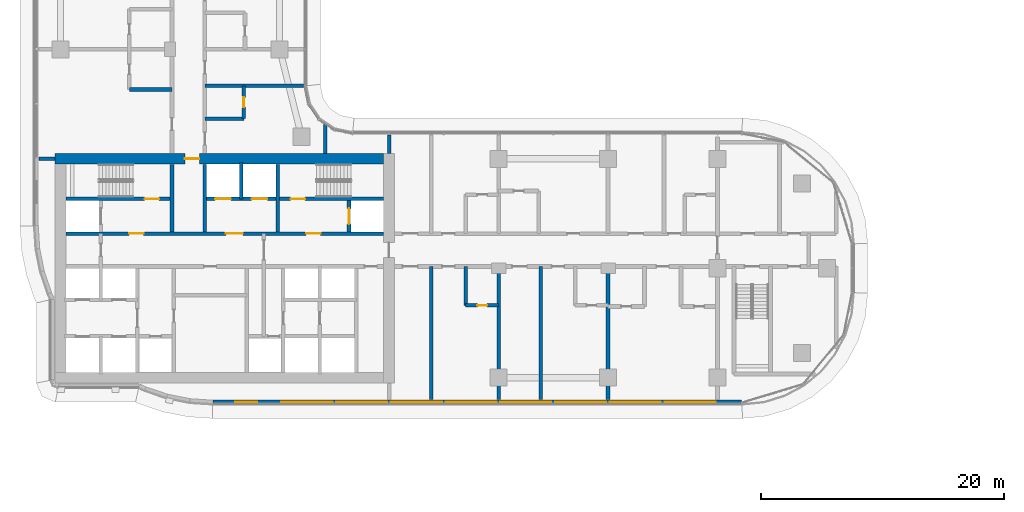
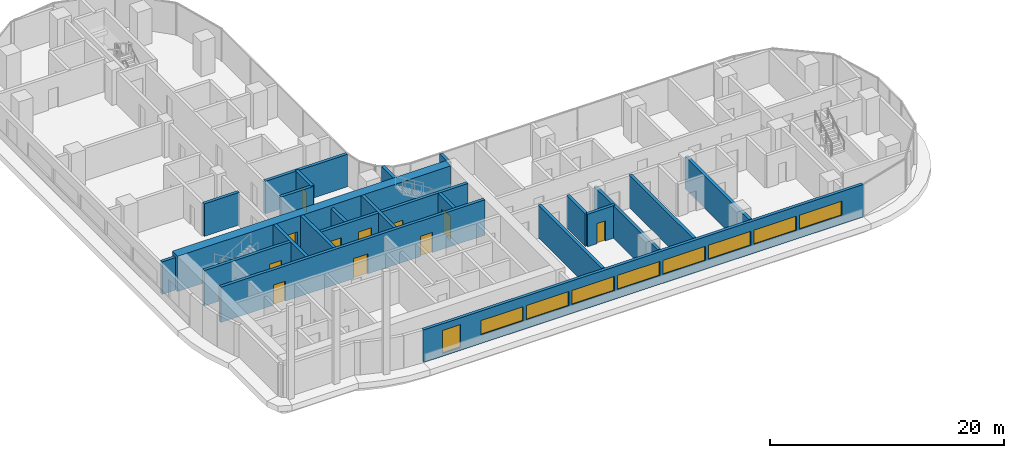
# One storey, part 18 of 36: 23 walls, 11 doors, 9 windows, 20 openings.
"""IFC4 building model written with IfcOpenShell, lengths in metres."""

from ifc_helpers import new_model, si_unit, direction, frame, frame_2d, origin, place, context, subcontext, project, spatial, rectangle, extrude, material, layer, layer_set, type_object, element, fill, save


model = new_model("IFC4")

# Units and contexts
model_context = context("Model", 3, precision=1e-05, world=origin(), true_north=direction((0.0, 1.0)))
body_context = subcontext(model_context, "Body", "Model", "MODEL_VIEW")
ifc_project = project(units=[si_unit("LENGTHUNIT", "METRE"), si_unit("AREAUNIT", "SQUARE_METRE"), si_unit("VOLUMEUNIT", "CUBIC_METRE"), si_unit("PLANEANGLEUNIT", "RADIAN"), si_unit("MASSUNIT", "GRAM", prefix="KILO")], contexts=[model_context])

# Site, building, storey
site_placement = place(None, origin())
site = spatial("IfcSite", under=ifc_project, at=site_placement, CompositionType="ELEMENT")
building_placement = place(site_placement, origin())
building = spatial("IfcBuilding", under=site, at=building_placement, Name="Ogive Portal Towers", CompositionType="ELEMENT")
storey_placement = place(building_placement, frame((0.0, 0.0, 52.0)))
storey = spatial("IfcBuildingStorey", under=building, at=storey_placement, Name="L11", CompositionType="ELEMENT", Elevation=52.0)

# Wall, openings, doors
ifc_material_1 = material(Name="Concrete C60/75", Category="concrete")
ifc_layer_1 = layer(ifc_material_1, 0.300048828125)
ifc_layer_set_1 = layer_set([ifc_layer_1], Name="CORE WALL 300 C60")
wall_type_1 = type_object("IfcWallType", Name="CORE WALL 300 C60", PredefinedType="SHEAR", material=ifc_layer_set_1)
wall_1_placement = place(storey_placement, frame((31.949951171875, 33.35009765625, 0.0), z_axis=(0.0, 0.0, 1.0), x_axis=(1.0, 0.0, 0.0)))
wall_1 = element("IfcWall", 1, at=wall_1_placement, inside=storey, type_object=wall_type_1, Name="Core wall Y2 L11", PredefinedType="SHEAR", context=body_context, shape_type="SweptSolid", body=[
    extrude(rectangle(XDim=26.10009765625, YDim=0.300048828125, at=frame_2d((13.050048828125, 0.0))), origin(), (0.0, 0.0, 1.0), 3.699951171875),
])
opening_1_placement = place(wall_1_placement, frame((13.125, 0.0, 0.0)))
opening_1 = element("IfcOpeningElement", 2, at=opening_1_placement, cuts=wall_1, Name="Opening D03-003", PredefinedType="OPENING", context=body_context, shape_type="SweptSolid", body=[
    extrude(rectangle(XDim=1.39990234375, YDim=2.10009765625, at=frame_2d((0.699951171875, 1.050048828125))), frame((0.0, 0.16015625, 0.0), z_axis=(0.0, -1.0, 0.0), x_axis=(1.0, 0.0, 0.0)), (0.0, 0.0, 1.0), 0.320068359375),
])
opening_2_placement = place(wall_1_placement, frame((5.175048828125, 0.0, 0.0)))
opening_2 = element("IfcOpeningElement", 3, at=opening_2_placement, cuts=wall_1, Name="Opening D03-004", PredefinedType="OPENING", context=body_context, shape_type="SweptSolid", body=[
    extrude(rectangle(XDim=1.199951171875, YDim=2.10009765625, at=frame_2d((0.60009765625, 1.050048828125))), frame((0.0, 0.16015625, 0.0), z_axis=(0.0, -1.0, 0.0), x_axis=(1.0, 0.0, 0.0)), (0.0, 0.0, 1.0), 0.320068359375),
])
opening_3_placement = place(wall_1_placement, frame((19.72509765625, 0.0, 0.0)))
opening_3 = element("IfcOpeningElement", 4, at=opening_3_placement, cuts=wall_1, Name="Opening D03-005", PredefinedType="OPENING", context=body_context, shape_type="SweptSolid", body=[
    extrude(rectangle(XDim=1.199951171875, YDim=2.10009765625, at=frame_2d((0.60009765625, 1.050048828125))), frame((0.0, 0.16015625, 0.0), z_axis=(0.0, -1.0, 0.0), x_axis=(1.0, 0.0, 0.0)), (0.0, 0.0, 1.0), 0.320068359375),
])
ifc_material_2 = material(Name="Steel fire door", Category="steel")
door_type_1 = type_object("IfcDoorType", Name="DT-SWING-1200x2100-FD90S", OperationType="SINGLE_SWING_LEFT", PredefinedType="DOOR", material=ifc_material_2)
door_1_placement = place(opening_2_placement, origin())
door_1 = element("IfcDoor", 5, at=door_1_placement, inside=storey, type_object=door_type_1, Name="Door D03-004", OperationType="SINGLE_SWING_LEFT", OverallHeight=2.10009765625, OverallWidth=1.199951171875, PredefinedType="DOOR", context=body_context, shape_type="SweptSolid", body=[
    extrude(rectangle(XDim=1.199951171875, YDim=2.10009765625, at=frame_2d((0.60009765625, 1.050048828125))), frame((0.0, 0.02490234375, 0.0), z_axis=(0.0, -1.0, 0.0), x_axis=(1.0, 0.0, 0.0)), (0.0, 0.0, 1.0), 0.050048828125),
])
fill(opening_2, door_1)
door_2_placement = place(opening_3_placement, origin())
door_2 = element("IfcDoor", 6, at=door_2_placement, inside=storey, type_object=door_type_1, Name="Door D03-005", OperationType="SINGLE_SWING_RIGHT", OverallHeight=2.10009765625, OverallWidth=1.199951171875, PredefinedType="DOOR", context=body_context, shape_type="SweptSolid", body=[
    extrude(rectangle(XDim=1.199951171875, YDim=2.10009765625, at=frame_2d((0.60009765625, 1.050048828125))), frame((0.0, 0.02490234375, 0.0), z_axis=(0.0, -1.0, 0.0), x_axis=(1.0, 0.0, 0.0)), (0.0, 0.0, 1.0), 0.050048828125),
])
fill(opening_3, door_2)
door_type_2 = type_object("IfcDoorType", Name="DT-SWING-1400x2100-FD90S", OperationType="SINGLE_SWING_LEFT", PredefinedType="DOOR", material=ifc_material_2)
door_3_placement = place(opening_1_placement, origin())
door_3 = element("IfcDoor", 7, at=door_3_placement, inside=storey, type_object=door_type_2, Name="Door D03-003", OperationType="SINGLE_SWING_RIGHT", OverallHeight=2.10009765625, OverallWidth=1.39990234375, PredefinedType="DOOR", context=body_context, shape_type="SweptSolid", body=[
    extrude(rectangle(XDim=1.39990234375, YDim=2.10009765625, at=frame_2d((0.699951171875, 1.050048828125))), frame((0.0, 0.02490234375, 0.0), z_axis=(0.0, -1.0, 0.0), x_axis=(1.0, 0.0, 0.0)), (0.0, 0.0, 1.0), 0.050048828125),
])
fill(opening_1, door_3)

# Wall, opening, door
wall_2_placement = place(storey_placement, frame((31.949951171875, 36.199951171875, 0.0), z_axis=(0.0, 0.0, 1.0), x_axis=(1.0, 0.0, 0.0)))
wall_2 = element("IfcWall", 8, at=wall_2_placement, inside=storey, type_object=wall_type_1, Name="Core wall Y3a L11", PredefinedType="SHEAR", context=body_context, shape_type="SweptSolid", body=[
    extrude(rectangle(XDim=8.550048828125, YDim=0.300048828125, at=frame_2d((4.27490234375, 0.0))), origin(), (0.0, 0.0, 1.0), 3.699951171875),
])
opening_4_placement = place(wall_2_placement, frame((6.449951171875, 0.0, 0.0)))
opening_4 = element("IfcOpeningElement", 9, at=opening_4_placement, cuts=wall_2, Name="Opening D03-006", PredefinedType="OPENING", context=body_context, shape_type="SweptSolid", body=[
    extrude(rectangle(XDim=1.199951171875, YDim=2.10009765625, at=frame_2d((0.60009765625, 1.050048828125))), frame((0.0, 0.16015625, 0.0), z_axis=(0.0, -1.0, 0.0), x_axis=(1.0, 0.0, 0.0)), (0.0, 0.0, 1.0), 0.320068359375),
])
door_4_placement = place(opening_4_placement, origin())
door_4 = element("IfcDoor", 10, at=door_4_placement, inside=storey, type_object=door_type_1, Name="Door D03-006", OperationType="SINGLE_SWING_RIGHT", OverallHeight=2.10009765625, OverallWidth=1.199951171875, PredefinedType="DOOR", context=body_context, shape_type="SweptSolid", body=[
    extrude(rectangle(XDim=1.199951171875, YDim=2.10009765625, at=frame_2d((0.60009765625, 1.050048828125))), frame((0.0, 0.02490234375, 0.0), z_axis=(0.0, -1.0, 0.0), x_axis=(1.0, 0.0, 0.0)), (0.0, 0.0, 1.0), 0.050048828125),
])
fill(opening_4, door_4)

# Wall, openings, doors
wall_3_placement = place(storey_placement, frame((43.5, 36.199951171875, 0.0), z_axis=(0.0, 0.0, 1.0), x_axis=(1.0, 0.0, 0.0)))
wall_3 = element("IfcWall", 11, at=wall_3_placement, inside=storey, type_object=wall_type_1, Name="Core wall Y3b L11", PredefinedType="SHEAR", context=body_context, shape_type="SweptSolid", body=[
    extrude(rectangle(XDim=14.550048828125, YDim=0.300048828125, at=frame_2d((7.27490234375, 0.0))), origin(), (0.0, 0.0, 1.0), 3.699951171875),
])
opening_5_placement = place(wall_3_placement, frame((6.89990234375, 0.0, 0.0)))
opening_5 = element("IfcOpeningElement", 12, at=opening_5_placement, cuts=wall_3, Name="Opening D03-007", PredefinedType="OPENING", context=body_context, shape_type="SweptSolid", body=[
    extrude(rectangle(XDim=1.199951171875, YDim=2.10009765625, at=frame_2d((0.60009765625, 1.050048828125))), frame((0.0, 0.16015625, 0.0), z_axis=(0.0, -1.0, 0.0), x_axis=(1.0, 0.0, 0.0)), (0.0, 0.0, 1.0), 0.320068359375),
])
opening_6_placement = place(wall_3_placement, frame((0.699951171875, 0.0, 0.0)))
opening_6 = element("IfcOpeningElement", 13, at=opening_6_placement, cuts=wall_3, Name="Opening D03-017", PredefinedType="OPENING", context=body_context, shape_type="SweptSolid", body=[
    extrude(rectangle(XDim=1.300048828125, YDim=2.39990234375, at=frame_2d((0.64990234375, 1.199951171875))), frame((0.0, 0.16015625, 0.0), z_axis=(0.0, -1.0, 0.0), x_axis=(1.0, 0.0, 0.0)), (0.0, 0.0, 1.0), 0.320068359375),
])
opening_7_placement = place(wall_3_placement, frame((3.699951171875, 0.0, 0.0)))
opening_7 = element("IfcOpeningElement", 14, at=opening_7_placement, cuts=wall_3, Name="Opening D03-018", PredefinedType="OPENING", context=body_context, shape_type="SweptSolid", body=[
    extrude(rectangle(XDim=1.300048828125, YDim=2.39990234375, at=frame_2d((0.64990234375, 1.199951171875))), frame((0.0, 0.16015625, 0.0), z_axis=(0.0, -1.0, 0.0), x_axis=(1.0, 0.0, 0.0)), (0.0, 0.0, 1.0), 0.320068359375),
])
ifc_material_3 = material(Name="Stainless steel", Category="steel")
door_type_3 = type_object("IfcDoorType", Name="DT-LD-1300x2400", OperationType="SLIDING_TO_LEFT", PredefinedType="DOOR", material=ifc_material_3)
door_5_placement = place(opening_6_placement, origin())
door_5 = element("IfcDoor", 15, at=door_5_placement, inside=storey, type_object=door_type_3, Name="Door D03-017", OperationType="SLIDING_TO_LEFT", OverallHeight=2.39990234375, OverallWidth=1.300048828125, PredefinedType="DOOR", context=body_context, shape_type="SweptSolid", body=[
    extrude(rectangle(XDim=1.300048828125, YDim=2.39990234375, at=frame_2d((0.64990234375, 1.199951171875))), frame((0.0, 0.02490234375, 0.0), z_axis=(0.0, -1.0, 0.0), x_axis=(1.0, 0.0, 0.0)), (0.0, 0.0, 1.0), 0.050048828125),
])
fill(opening_6, door_5)
door_6_placement = place(opening_7_placement, origin())
door_6 = element("IfcDoor", 16, at=door_6_placement, inside=storey, type_object=door_type_3, Name="Door D03-018", OperationType="SLIDING_TO_LEFT", OverallHeight=2.39990234375, OverallWidth=1.300048828125, PredefinedType="DOOR", context=body_context, shape_type="SweptSolid", body=[
    extrude(rectangle(XDim=1.300048828125, YDim=2.39990234375, at=frame_2d((0.64990234375, 1.199951171875))), frame((0.0, 0.02490234375, 0.0), z_axis=(0.0, -1.0, 0.0), x_axis=(1.0, 0.0, 0.0)), (0.0, 0.0, 1.0), 0.050048828125),
])
fill(opening_7, door_6)
door_7_placement = place(opening_5_placement, origin())
door_7 = element("IfcDoor", 17, at=door_7_placement, inside=storey, type_object=door_type_1, Name="Door D03-007", OperationType="SINGLE_SWING_LEFT", OverallHeight=2.10009765625, OverallWidth=1.199951171875, PredefinedType="DOOR", context=body_context, shape_type="SweptSolid", body=[
    extrude(rectangle(XDim=1.199951171875, YDim=2.10009765625, at=frame_2d((0.60009765625, 1.050048828125))), frame((0.0, 0.02490234375, 0.0), z_axis=(0.0, -1.0, 0.0), x_axis=(1.0, 0.0, 0.0)), (0.0, 0.0, 1.0), 0.050048828125),
])
fill(opening_5, door_7)

# Walls
for number, where, z_axis, x_axis, name in (
    (18, (40.64990234375, 33.5, 0.0), (0.0, 0.0, 1.0), (0.0, 1.0, 0.0), "Core wall X6 L11"),
    (19, (43.35009765625, 33.5, 0.0), (0.0, 0.0, 1.0), (0.0, 1.0, 0.0), "Core wall X7 L11"),
    (20, (49.35009765625, 33.5, 0.0), (0.0, 0.0, 1.0), (0.0, 1.0, 0.0), "Core wall X9 L11"),
):
    element("IfcWall", number, at=place(storey_placement, frame(where, z_axis=z_axis, x_axis=x_axis)), inside=storey, type_object=wall_type_1, Name=name, PredefinedType="SHEAR", context=body_context, shape_type="SweptSolid", body=[
        extrude(rectangle(XDim=5.550048828125, YDim=0.300048828125, at=frame_2d((2.77490234375, 0.0))), origin(), (0.0, 0.0, 1.0), 3.699951171875),
    ])

# Wall, opening, door
wall_4_placement = place(storey_placement, frame((55.199951171875, 33.5, 0.0), z_axis=(0.0, 0.0, 1.0), x_axis=(0.0, 1.0, 0.0)))
wall_4 = element("IfcWall", 21, at=wall_4_placement, inside=storey, type_object=wall_type_1, Name="Core wall X10 L11", PredefinedType="SHEAR", context=body_context, shape_type="SweptSolid", body=[
    extrude(rectangle(XDim=2.550048828125, YDim=0.300048828125, at=frame_2d((1.27490234375, 0.0))), origin(), (0.0, 0.0, 1.0), 3.699951171875),
])
opening_8_placement = place(wall_4_placement, frame((0.625, 0.0, 0.0)))
opening_8 = element("IfcOpeningElement", 22, at=opening_8_placement, cuts=wall_4, Name="Opening D03-020", PredefinedType="OPENING", context=body_context, shape_type="SweptSolid", body=[
    extrude(rectangle(XDim=1.300048828125, YDim=2.39990234375, at=frame_2d((0.64990234375, 1.199951171875))), frame((0.0, 0.16015625, 0.0), z_axis=(0.0, -1.0, 0.0), x_axis=(1.0, 0.0, 0.0)), (0.0, 0.0, 1.0), 0.320068359375),
])
door_8_placement = place(opening_8_placement, origin())
door_8 = element("IfcDoor", 23, at=door_8_placement, inside=storey, type_object=door_type_3, Name="Door D03-020", OperationType="SLIDING_TO_LEFT", OverallHeight=2.39990234375, OverallWidth=1.300048828125, PredefinedType="DOOR", context=body_context, shape_type="SweptSolid", body=[
    extrude(rectangle(XDim=1.300048828125, YDim=2.39990234375, at=frame_2d((0.64990234375, 1.199951171875))), frame((0.0, 0.02490234375, 0.0), z_axis=(0.0, -1.0, 0.0), x_axis=(1.0, 0.0, 0.0)), (0.0, 0.0, 1.0), 0.050048828125),
])
fill(opening_8, door_8)

ifc_layer_2 = layer(ifc_material_1, 0.89990234375)
ifc_layer_set_2 = layer_set([ifc_layer_2], Name="CORE WALL 900 C60")
wall_type_2 = type_object("IfcWallType", Name="CORE WALL 900 C60", PredefinedType="SHEAR", material=ifc_layer_set_2)
wall_5_placement = place(storey_placement, frame((31.050048828125, 39.5, 0.0), z_axis=(0.0, 0.0, 1.0), x_axis=(1.0, 0.0, 0.0)))
wall_5 = element("IfcWall", 24, at=wall_5_placement, inside=storey, type_object=wall_type_2, Name="Core wall N L11", PredefinedType="SHEAR", context=body_context, shape_type="SweptSolid", body=[
    extrude(rectangle(XDim=27.0, YDim=0.89990234375, at=frame_2d((13.5, 0.0))), origin(), (0.0, 0.0, 1.0), 3.699951171875),
])
opening_9_placement = place(wall_5_placement, frame((10.64990234375, 0.0, 0.0)))
opening_9 = element("IfcOpeningElement", 25, at=opening_9_placement, cuts=wall_5, Name="Opening D03-012", PredefinedType="OPENING", context=body_context, shape_type="SweptSolid", body=[
    extrude(rectangle(XDim=1.199951171875, YDim=2.10009765625, at=frame_2d((0.60009765625, 1.050048828125))), frame((0.0, 0.4599609375, 0.0), z_axis=(0.0, -1.0, 0.0), x_axis=(1.0, 0.0, 0.0)), (0.0, 0.0, 1.0), 0.919921875),
])
door_9_placement = place(opening_9_placement, origin())
door_9 = element("IfcDoor", 26, at=door_9_placement, inside=storey, type_object=door_type_1, Name="Door D03-012", OperationType="SINGLE_SWING_RIGHT", OverallHeight=2.10009765625, OverallWidth=1.199951171875, PredefinedType="DOOR", context=body_context, shape_type="SweptSolid", body=[
    extrude(rectangle(XDim=1.199951171875, YDim=2.10009765625, at=frame_2d((0.60009765625, 1.050048828125))), frame((0.0, 0.02490234375, 0.0), z_axis=(0.0, -1.0, 0.0), x_axis=(1.0, 0.0, 0.0)), (0.0, 0.0, 1.0), 0.050048828125),
])
fill(opening_9, door_9)

# Wall, openings, windows
ifc_material_4 = material(Name="Limestone cladding on lightweight block wall", Category="masonry")
ifc_layer_3 = layer(ifc_material_4, 0.300048828125)
ifc_layer_set_3 = layer_set([ifc_layer_3], Name="EXTERNAL WALL 300 STONE")
wall_type_3 = type_object("IfcWallType", Name="EXTERNAL WALL 300 STONE", PredefinedType="SOLIDWALL", material=ifc_layer_set_3)
wall_6_placement = place(storey_placement, frame((44.009765625, 19.5048828125, 0.0), z_axis=(0.0, 0.0, 1.0), x_axis=(1.0, 0.0, 0.0)))
wall_6 = element("IfcWall", 27, at=wall_6_placement, inside=storey, type_object=wall_type_3, Name="A:L11:f08:r0:wall", PredefinedType="SOLIDWALL", context=body_context, shape_type="SweptSolid", body=[
    extrude(rectangle(XDim=43.478271484375, YDim=0.300048828125, at=frame_2d((21.7392578125, 0.0))), origin(), (0.0, 0.0, 1.0), 3.39990234375),
])
opening_10_placement = place(wall_6_placement, frame((1.844970703125, 0.0, 0.300048828125)))
opening_10 = element("IfcOpeningElement", 28, at=opening_10_placement, cuts=wall_6, Name="Opening WN10", PredefinedType="OPENING", context=body_context, shape_type="SweptSolid", body=[
    extrude(rectangle(XDim=1.800048828125, YDim=2.39990234375, at=frame_2d((0.89990234375, 1.199951171875))), frame((0.0, 0.16015625, 0.0), z_axis=(0.0, -1.0, 0.0), x_axis=(1.0, 0.0, 0.0)), (0.0, 0.0, 1.0), 0.320068359375),
])
opening_11_placement = place(wall_6_placement, frame((5.64013671875, 0.0, 0.89990234375)))
opening_11 = element("IfcOpeningElement", 29, at=opening_11_placement, cuts=wall_6, Name="Opening WN11", PredefinedType="OPENING", context=body_context, shape_type="SweptSolid", body=[
    extrude(rectangle(XDim=4.199951171875, YDim=1.5, at=frame_2d((2.10009765625, 0.75))), frame((0.0, 0.16015625, 0.0), z_axis=(0.0, -1.0, 0.0), x_axis=(1.0, 0.0, 0.0)), (0.0, 0.0, 1.0), 0.320068359375),
])
opening_12_placement = place(wall_6_placement, frame((10.14013671875, 0.0, 0.89990234375)))
opening_12 = element("IfcOpeningElement", 30, at=opening_12_placement, cuts=wall_6, Name="Opening WN11", PredefinedType="OPENING", context=body_context, shape_type="SweptSolid", body=[
    extrude(rectangle(XDim=4.199951171875, YDim=1.5, at=frame_2d((2.10009765625, 0.75))), frame((0.0, 0.16015625, 0.0), z_axis=(0.0, -1.0, 0.0), x_axis=(1.0, 0.0, 0.0)), (0.0, 0.0, 1.0), 0.320068359375),
])
opening_13_placement = place(wall_6_placement, frame((14.64013671875, 0.0, 0.89990234375)))
opening_13 = element("IfcOpeningElement", 31, at=opening_13_placement, cuts=wall_6, Name="Opening WN11", PredefinedType="OPENING", context=body_context, shape_type="SweptSolid", body=[
    extrude(rectangle(XDim=4.199951171875, YDim=1.5, at=frame_2d((2.10009765625, 0.75))), frame((0.0, 0.16015625, 0.0), z_axis=(0.0, -1.0, 0.0), x_axis=(1.0, 0.0, 0.0)), (0.0, 0.0, 1.0), 0.320068359375),
])
opening_14_placement = place(wall_6_placement, frame((19.14013671875, 0.0, 0.89990234375)))
opening_14 = element("IfcOpeningElement", 32, at=opening_14_placement, cuts=wall_6, Name="Opening WN11", PredefinedType="OPENING", context=body_context, shape_type="SweptSolid", body=[
    extrude(rectangle(XDim=4.199951171875, YDim=1.5, at=frame_2d((2.10009765625, 0.75))), frame((0.0, 0.16015625, 0.0), z_axis=(0.0, -1.0, 0.0), x_axis=(1.0, 0.0, 0.0)), (0.0, 0.0, 1.0), 0.320068359375),
])
opening_15_placement = place(wall_6_placement, frame((23.64013671875, 0.0, 0.89990234375)))
opening_15 = element("IfcOpeningElement", 33, at=opening_15_placement, cuts=wall_6, Name="Opening WN11", PredefinedType="OPENING", context=body_context, shape_type="SweptSolid", body=[
    extrude(rectangle(XDim=4.199951171875, YDim=1.5, at=frame_2d((2.10009765625, 0.75))), frame((0.0, 0.16015625, 0.0), z_axis=(0.0, -1.0, 0.0), x_axis=(1.0, 0.0, 0.0)), (0.0, 0.0, 1.0), 0.320068359375),
])
opening_16_placement = place(wall_6_placement, frame((28.14013671875, 0.0, 0.89990234375)))
opening_16 = element("IfcOpeningElement", 34, at=opening_16_placement, cuts=wall_6, Name="Opening WN11", PredefinedType="OPENING", context=body_context, shape_type="SweptSolid", body=[
    extrude(rectangle(XDim=4.199951171875, YDim=1.5, at=frame_2d((2.10009765625, 0.75))), frame((0.0, 0.16015625, 0.0), z_axis=(0.0, -1.0, 0.0), x_axis=(1.0, 0.0, 0.0)), (0.0, 0.0, 1.0), 0.320068359375),
])
opening_17_placement = place(wall_6_placement, frame((32.64013671875, 0.0, 0.89990234375)))
opening_17 = element("IfcOpeningElement", 35, at=opening_17_placement, cuts=wall_6, Name="Opening WN11", PredefinedType="OPENING", context=body_context, shape_type="SweptSolid", body=[
    extrude(rectangle(XDim=4.199951171875, YDim=1.5, at=frame_2d((2.10009765625, 0.75))), frame((0.0, 0.16015625, 0.0), z_axis=(0.0, -1.0, 0.0), x_axis=(1.0, 0.0, 0.0)), (0.0, 0.0, 1.0), 0.320068359375),
])
opening_18_placement = place(wall_6_placement, frame((37.14013671875, 0.0, 0.89990234375)))
opening_18 = element("IfcOpeningElement", 36, at=opening_18_placement, cuts=wall_6, Name="Opening WN11", PredefinedType="OPENING", context=body_context, shape_type="SweptSolid", body=[
    extrude(rectangle(XDim=4.199951171875, YDim=1.5, at=frame_2d((2.10009765625, 0.75))), frame((0.0, 0.16015625, 0.0), z_axis=(0.0, -1.0, 0.0), x_axis=(1.0, 0.0, 0.0)), (0.0, 0.0, 1.0), 0.320068359375),
])
ifc_material_5 = material(Name="Glass, clear low-iron insulated glazing", Category="glass")
window_type_1 = type_object("IfcWindowType", Name="WINDOW RIBBON 4200x1500", PartitioningType="TRIPLE_PANEL_VERTICAL", PredefinedType="WINDOW", material=ifc_material_5)
window_1_placement = place(opening_11_placement, origin())
window_1 = element("IfcWindow", 37, at=window_1_placement, inside=storey, type_object=window_type_1, Name="A:L11:f08:r0:w1", OverallHeight=1.5, OverallWidth=4.199951171875, PartitioningType="SINGLE_PANEL", PredefinedType="WINDOW", context=body_context, shape_type="SweptSolid", body=[
    extrude(rectangle(XDim=4.199951171875, YDim=1.5, at=frame_2d((2.10009765625, 0.75))), frame((0.0, 0.030029296875, 0.0), z_axis=(0.0, -1.0, 0.0), x_axis=(1.0, 0.0, 0.0)), (0.0, 0.0, 1.0), 0.06005859375),
])
fill(opening_11, window_1)
window_2_placement = place(opening_12_placement, origin())
window_2 = element("IfcWindow", 38, at=window_2_placement, inside=storey, type_object=window_type_1, Name="A:L11:f08:r0:w2", OverallHeight=1.5, OverallWidth=4.199951171875, PartitioningType="SINGLE_PANEL", PredefinedType="WINDOW", context=body_context, shape_type="SweptSolid", body=[
    extrude(rectangle(XDim=4.199951171875, YDim=1.5, at=frame_2d((2.10009765625, 0.75))), frame((0.0, 0.030029296875, 0.0), z_axis=(0.0, -1.0, 0.0), x_axis=(1.0, 0.0, 0.0)), (0.0, 0.0, 1.0), 0.06005859375),
])
fill(opening_12, window_2)
window_3_placement = place(opening_13_placement, origin())
window_3 = element("IfcWindow", 39, at=window_3_placement, inside=storey, type_object=window_type_1, Name="A:L11:f08:r0:w3", OverallHeight=1.5, OverallWidth=4.199951171875, PartitioningType="SINGLE_PANEL", PredefinedType="WINDOW", context=body_context, shape_type="SweptSolid", body=[
    extrude(rectangle(XDim=4.199951171875, YDim=1.5, at=frame_2d((2.10009765625, 0.75))), frame((0.0, 0.030029296875, 0.0), z_axis=(0.0, -1.0, 0.0), x_axis=(1.0, 0.0, 0.0)), (0.0, 0.0, 1.0), 0.06005859375),
])
fill(opening_13, window_3)
window_4_placement = place(opening_14_placement, origin())
window_4 = element("IfcWindow", 40, at=window_4_placement, inside=storey, type_object=window_type_1, Name="A:L11:f08:r0:w4", OverallHeight=1.5, OverallWidth=4.199951171875, PartitioningType="SINGLE_PANEL", PredefinedType="WINDOW", context=body_context, shape_type="SweptSolid", body=[
    extrude(rectangle(XDim=4.199951171875, YDim=1.5, at=frame_2d((2.10009765625, 0.75))), frame((0.0, 0.030029296875, 0.0), z_axis=(0.0, -1.0, 0.0), x_axis=(1.0, 0.0, 0.0)), (0.0, 0.0, 1.0), 0.06005859375),
])
fill(opening_14, window_4)
window_5_placement = place(opening_15_placement, origin())
window_5 = element("IfcWindow", 41, at=window_5_placement, inside=storey, type_object=window_type_1, Name="A:L11:f08:r0:w5", OverallHeight=1.5, OverallWidth=4.199951171875, PartitioningType="SINGLE_PANEL", PredefinedType="WINDOW", context=body_context, shape_type="SweptSolid", body=[
    extrude(rectangle(XDim=4.199951171875, YDim=1.5, at=frame_2d((2.10009765625, 0.75))), frame((0.0, 0.030029296875, 0.0), z_axis=(0.0, -1.0, 0.0), x_axis=(1.0, 0.0, 0.0)), (0.0, 0.0, 1.0), 0.06005859375),
])
fill(opening_15, window_5)
window_6_placement = place(opening_16_placement, origin())
window_6 = element("IfcWindow", 42, at=window_6_placement, inside=storey, type_object=window_type_1, Name="A:L11:f08:r0:w6", OverallHeight=1.5, OverallWidth=4.199951171875, PartitioningType="SINGLE_PANEL", PredefinedType="WINDOW", context=body_context, shape_type="SweptSolid", body=[
    extrude(rectangle(XDim=4.199951171875, YDim=1.5, at=frame_2d((2.10009765625, 0.75))), frame((0.0, 0.030029296875, 0.0), z_axis=(0.0, -1.0, 0.0), x_axis=(1.0, 0.0, 0.0)), (0.0, 0.0, 1.0), 0.06005859375),
])
fill(opening_16, window_6)
window_7_placement = place(opening_17_placement, origin())
window_7 = element("IfcWindow", 43, at=window_7_placement, inside=storey, type_object=window_type_1, Name="A:L11:f08:r0:w7", OverallHeight=1.5, OverallWidth=4.199951171875, PartitioningType="SINGLE_PANEL", PredefinedType="WINDOW", context=body_context, shape_type="SweptSolid", body=[
    extrude(rectangle(XDim=4.199951171875, YDim=1.5, at=frame_2d((2.10009765625, 0.75))), frame((0.0, 0.030029296875, 0.0), z_axis=(0.0, -1.0, 0.0), x_axis=(1.0, 0.0, 0.0)), (0.0, 0.0, 1.0), 0.06005859375),
])
fill(opening_17, window_7)
window_8_placement = place(opening_18_placement, origin())
window_8 = element("IfcWindow", 44, at=window_8_placement, inside=storey, type_object=window_type_1, Name="A:L11:f08:r0:w8", OverallHeight=1.5, OverallWidth=4.199951171875, PartitioningType="SINGLE_PANEL", PredefinedType="WINDOW", context=body_context, shape_type="SweptSolid", body=[
    extrude(rectangle(XDim=4.199951171875, YDim=1.5, at=frame_2d((2.10009765625, 0.75))), frame((0.0, 0.030029296875, 0.0), z_axis=(0.0, -1.0, 0.0), x_axis=(1.0, 0.0, 0.0)), (0.0, 0.0, 1.0), 0.06005859375),
])
fill(opening_18, window_8)
window_type_2 = type_object("IfcWindowType", Name="WINDOW SUITE CORNER 1800x2400", PartitioningType="DOUBLE_PANEL_VERTICAL", PredefinedType="WINDOW", material=ifc_material_5)
window_9_placement = place(opening_10_placement, origin())
window_9 = element("IfcWindow", 45, at=window_9_placement, inside=storey, type_object=window_type_2, Name="A:L11:f08:r0:w0", OverallHeight=2.39990234375, OverallWidth=1.800048828125, PartitioningType="SINGLE_PANEL", PredefinedType="WINDOW", context=body_context, shape_type="SweptSolid", body=[
    extrude(rectangle(XDim=1.800048828125, YDim=2.39990234375, at=frame_2d((0.89990234375, 1.199951171875))), frame((0.0, 0.030029296875, 0.0), z_axis=(0.0, -1.0, 0.0), x_axis=(1.0, 0.0, 0.0)), (0.0, 0.0, 1.0), 0.06005859375),
])
fill(opening_10, window_9)

# Wall, opening, door
ifc_material_6 = material(Name="Gypsum board partition on steel studs", Category="steel")
ifc_layer_4 = layer(ifc_material_6, 0.300048828125)
ifc_layer_set_4 = layer_set([ifc_layer_4], Name="WT-PART-300-EI 60")
wall_type_4 = type_object("IfcWallType", Name="WT-PART-300-EI 60", PredefinedType="PARTITIONING", material=ifc_layer_set_4)
wall_7_placement = place(storey_placement, frame((64.800048828125, 27.449951171875, 0.0), z_axis=(0.0, 0.0, 1.0), x_axis=(1.0, 0.0, 0.0)))
wall_7 = element("IfcWall", 46, at=wall_7_placement, inside=storey, type_object=wall_type_4, Name="Wall L11:w004", PredefinedType="PARTITIONING", context=body_context, shape_type="SweptSolid", body=[
    extrude(rectangle(XDim=2.699951171875, YDim=0.300048828125, at=frame_2d((1.35009765625, 0.0))), origin(), (0.0, 0.0, 1.0), 3.39990234375),
])
opening_19_placement = place(wall_7_placement, frame((0.949951171875, 0.0, 0.0)))
opening_19 = element("IfcOpeningElement", 47, at=opening_19_placement, cuts=wall_7, Name="Opening D03-030", PredefinedType="OPENING", context=body_context, shape_type="SweptSolid", body=[
    extrude(rectangle(XDim=0.800048828125, YDim=2.10009765625, at=frame_2d((0.39990234375, 1.050048828125))), frame((0.0, 0.16015625, 0.0), z_axis=(0.0, -1.0, 0.0), x_axis=(1.0, 0.0, 0.0)), (0.0, 0.0, 1.0), 0.320068359375),
])
door_type_4 = type_object("IfcDoorType", Name="DT-BATH-800x2100-FD60S", OperationType="SINGLE_SWING_LEFT", PredefinedType="DOOR", material=ifc_material_2)
door_10_placement = place(opening_19_placement, origin())
door_10 = element("IfcDoor", 48, at=door_10_placement, inside=storey, type_object=door_type_4, Name="Door D03-030", OperationType="SINGLE_SWING_RIGHT", OverallHeight=2.10009765625, OverallWidth=0.800048828125, PredefinedType="DOOR", context=body_context, shape_type="SweptSolid", body=[
    extrude(rectangle(XDim=0.800048828125, YDim=2.10009765625, at=frame_2d((0.39990234375, 1.050048828125))), frame((0.0, 0.02490234375, 0.0), z_axis=(0.0, -1.0, 0.0), x_axis=(1.0, 0.0, 0.0)), (0.0, 0.0, 1.0), 0.050048828125),
])
fill(opening_19, door_10)

# Walls
wall_8_placement = place(storey_placement, frame((29.705078125, 39.5, 0.0), z_axis=(0.0, 0.0, 1.0), x_axis=(1.0, 0.0, 0.0)))
element("IfcWall", 49, at=wall_8_placement, inside=storey, type_object=wall_type_4, Name="Wall L11:w013", PredefinedType="PARTITIONING", context=body_context, shape_type="SweptSolid", body=[
    extrude(rectangle(XDim=1.324951171875, YDim=0.300048828125, at=frame_2d((0.66259765625, 0.0))), origin(), (0.0, 0.0, 1.0), 3.39990234375),
])
wall_9_placement = place(storey_placement, frame((43.35009765625, 42.800048828125, 0.0), z_axis=(0.0, 0.0, 1.0), x_axis=(1.0, 0.0, 0.0)))
element("IfcWall", 50, at=wall_9_placement, inside=storey, type_object=wall_type_4, Name="Wall L11:w015", PredefinedType="PARTITIONING", context=body_context, shape_type="SweptSolid", body=[
    extrude(rectangle(XDim=3.199951171875, YDim=0.300048828125, at=frame_2d((1.60009765625, 0.0))), origin(), (0.0, 0.0, 1.0), 3.39990234375),
])
wall_10_placement = place(storey_placement, frame((37.14990234375, 45.199951171875, 0.0), z_axis=(0.0, 0.0, 1.0), x_axis=(1.0, 0.0, 0.0)))
element("IfcWall", 51, at=wall_10_placement, inside=storey, type_object=wall_type_4, Name="Wall L11:w016", PredefinedType="PARTITIONING", context=body_context, shape_type="SweptSolid", body=[
    extrude(rectangle(XDim=3.5, YDim=0.300048828125, at=frame_2d((1.75, 0.0))), origin(), (0.0, 0.0, 1.0), 3.39990234375),
])
wall_11_placement = place(storey_placement, frame((43.35009765625, 45.5, 0.0), z_axis=(0.0, 0.0, 1.0), x_axis=(1.0, 0.0, 0.0)))
element("IfcWall", 52, at=wall_11_placement, inside=storey, type_object=wall_type_4, Name="Wall L11:w017", PredefinedType="PARTITIONING", context=body_context, shape_type="SweptSolid", body=[
    extrude(rectangle(XDim=8.125, YDim=0.300048828125, at=frame_2d((4.0625, 0.0))), origin(), (0.0, 0.0, 1.0), 3.39990234375),
])

# Wall, opening, door
wall_12_placement = place(storey_placement, frame((46.550048828125, 42.800048828125, 0.0), z_axis=(0.0, 0.0, 1.0), x_axis=(0.0, 1.0, 0.0)))
wall_12 = element("IfcWall", 53, at=wall_12_placement, inside=storey, type_object=wall_type_4, Name="Wall L11:w038", PredefinedType="PARTITIONING", context=body_context, shape_type="SweptSolid", body=[
    extrude(rectangle(XDim=2.699951171875, YDim=0.300048828125, at=frame_2d((1.35009765625, 0.0))), origin(), (0.0, 0.0, 1.0), 3.39990234375),
])
opening_20_placement = place(wall_12_placement, frame((0.949951171875, 0.0, 0.0)))
opening_20 = element("IfcOpeningElement", 54, at=opening_20_placement, cuts=wall_12, Name="Opening D03-043", PredefinedType="OPENING", context=body_context, shape_type="SweptSolid", body=[
    extrude(rectangle(XDim=0.800048828125, YDim=2.10009765625, at=frame_2d((0.39990234375, 1.050048828125))), frame((0.0, 0.16015625, 0.0), z_axis=(0.0, -1.0, 0.0), x_axis=(1.0, 0.0, 0.0)), (0.0, 0.0, 1.0), 0.320068359375),
])
door_11_placement = place(opening_20_placement, origin())
door_11 = element("IfcDoor", 55, at=door_11_placement, inside=storey, type_object=door_type_4, Name="Door D03-043", OperationType="SINGLE_SWING_LEFT", OverallHeight=2.10009765625, OverallWidth=0.800048828125, PredefinedType="DOOR", context=body_context, shape_type="SweptSolid", body=[
    extrude(rectangle(XDim=0.800048828125, YDim=2.10009765625, at=frame_2d((0.39990234375, 1.050048828125))), frame((0.0, 0.02490234375, 0.0), z_axis=(0.0, -1.0, 0.0), x_axis=(1.0, 0.0, 0.0)), (0.0, 0.0, 1.0), 0.050048828125),
])
fill(opening_20, door_11)

# Walls
wall_13_placement = place(storey_placement, frame((53.25, 39.949951171875, 0.0), z_axis=(0.0, 0.0, 1.0), x_axis=(0.0, 1.0, 0.0)))
element("IfcWall", 56, at=wall_13_placement, inside=storey, type_object=wall_type_4, Name="Wall L11:w042", PredefinedType="PARTITIONING", context=body_context, shape_type="SweptSolid", body=[
    extrude(rectangle(XDim=2.3759765625, YDim=0.300048828125, at=frame_2d((1.18798828125, 0.0))), origin(), (0.0, 0.0, 1.0), 3.39990234375),
])
wall_14_placement = place(storey_placement, frame((58.5, 39.949951171875, 0.0), z_axis=(0.0, 0.0, 1.0), x_axis=(0.0, 1.0, 0.0)))
element("IfcWall", 57, at=wall_14_placement, inside=storey, type_object=wall_type_4, Name="Wall L11:w044", PredefinedType="PARTITIONING", context=body_context, shape_type="SweptSolid", body=[
    extrude(rectangle(XDim=1.525146484375, YDim=0.300048828125, at=frame_2d((0.7626953125, 0.0))), origin(), (0.0, 0.0, 1.0), 3.39990234375),
])
wall_15_placement = place(storey_placement, frame((61.969970703125, 19.705078125, 0.0), z_axis=(0.0, 0.0, 1.0), x_axis=(0.0, 1.0, 0.0)))
element("IfcWall", 58, at=wall_15_placement, inside=storey, type_object=wall_type_4, Name="Wall L11:w045", PredefinedType="PARTITIONING", context=body_context, shape_type="SweptSolid", body=[
    extrude(rectangle(XDim=10.94482421875, YDim=0.300048828125, at=frame_2d((5.472412109375, 0.0))), origin(), (0.0, 0.0, 1.0), 3.39990234375),
])
wall_16_placement = place(storey_placement, frame((64.800048828125, 27.449951171875, 0.0), z_axis=(0.0, 0.0, 1.0), x_axis=(0.0, 1.0, 0.0)))
element("IfcWall", 59, at=wall_16_placement, inside=storey, type_object=wall_type_4, Name="Wall L11:w047", PredefinedType="PARTITIONING", context=body_context, shape_type="SweptSolid", body=[
    extrude(rectangle(XDim=3.199951171875, YDim=0.300048828125, at=frame_2d((1.60009765625, 0.0))), origin(), (0.0, 0.0, 1.0), 3.39990234375),
])
for number, where, z_axis, x_axis, name in (
    (60, (67.5, 19.705078125, 0.0), (0.0, 0.0, 1.0), (0.0, 1.0, 0.0), "Wall L11:w049"),
    (61, (70.969970703125, 19.705078125, 0.0), (0.0, 0.0, 1.0), (0.0, 1.0, 0.0), "Wall L11:w052"),
    (62, (76.5, 19.705078125, 0.0), (0.0, 0.0, 1.0), (0.0, 1.0, 0.0), "Wall L11:w054"),
):
    element("IfcWall", number, at=place(storey_placement, frame(where, z_axis=z_axis, x_axis=x_axis)), inside=storey, type_object=wall_type_4, Name=name, PredefinedType="PARTITIONING", context=body_context, shape_type="SweptSolid", body=[
        extrude(rectangle(XDim=10.94482421875, YDim=0.300048828125, at=frame_2d((5.472412109375, 0.0))), origin(), (0.0, 0.0, 1.0), 3.39990234375),
    ])
ifc_material_7 = material(Name="Concrete C40/50", Category="concrete")
ifc_layer_5 = layer(ifc_material_7, 0.300048828125)
ifc_layer_set_5 = layer_set([ifc_layer_5], Name="WT-SHAFT-300")
wall_type_5 = type_object("IfcWallType", Name="WT-SHAFT-300", PredefinedType="SOLIDWALL", material=ifc_layer_set_5)
wall_17_placement = place(storey_placement, frame((46.35009765625, 36.199951171875, 0.0), z_axis=(0.0, 0.0, 1.0), x_axis=(0.0, 1.0, 0.0)))
element("IfcWall", 63, at=wall_17_placement, inside=storey, type_object=wall_type_5, Name="Wall pw:009:L11", PredefinedType="SOLIDWALL", context=body_context, shape_type="SweptSolid", body=[
    extrude(rectangle(XDim=3.0, YDim=0.300048828125, at=frame_2d((1.5, 0.0))), origin(), (0.0, 0.0, 1.0), 3.39990234375),
])

save(model, "model.ifc")
